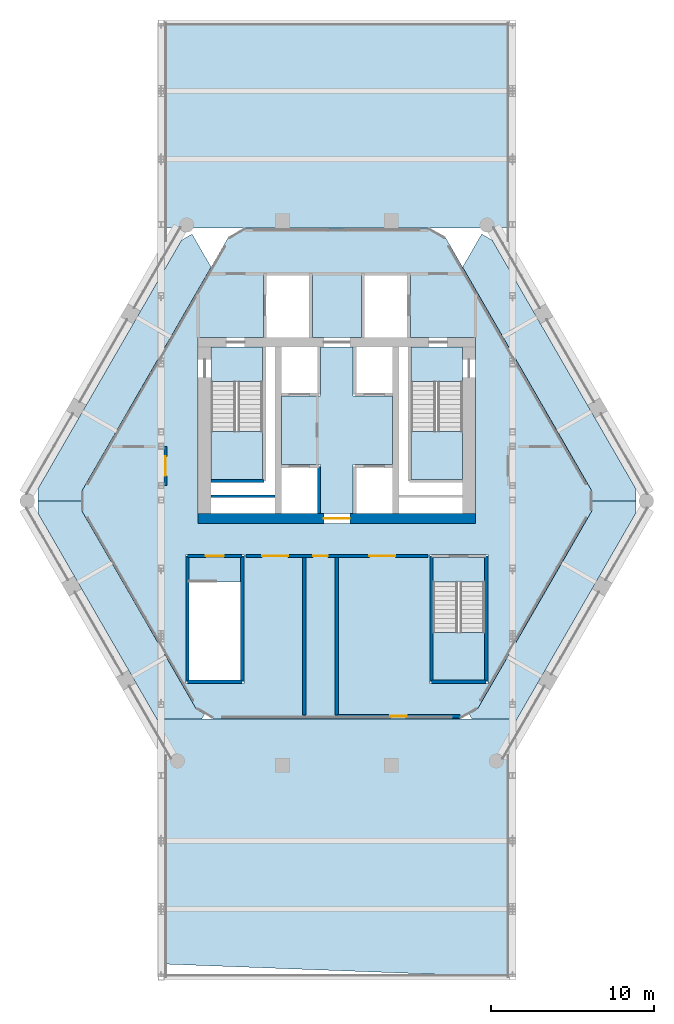
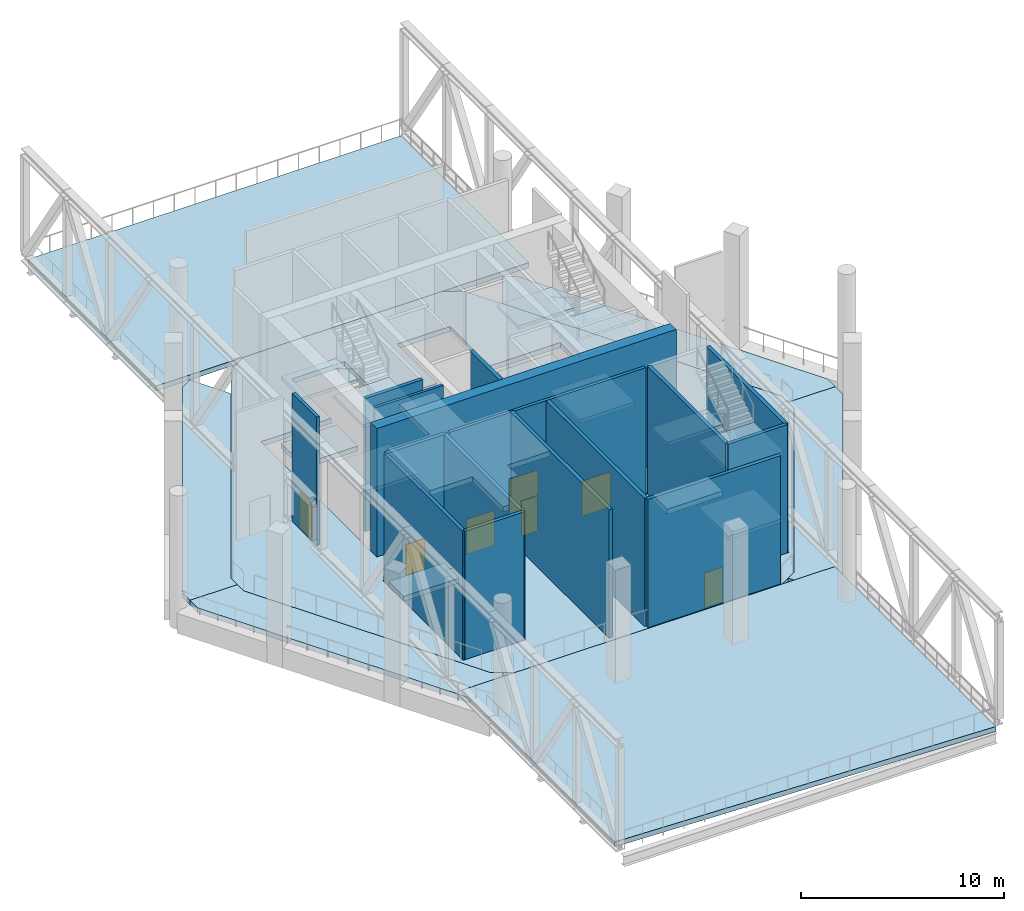
# One storey, part 5 of 14: 21 slabs, 16 walls, 7 doors, 7 openings, 3 elements without a shape of their own.
"""IFC4 building model written with IfcOpenShell, lengths in metres."""

from ifc_helpers import new_model, si_unit, direction, frame, frame_2d, origin, place, context, subcontext, project, spatial, polyline, rectangle, outline, extrude, material, layer, layer_set, type_object, element, fill, aggregate, save


model = new_model("IFC4")

# Units and contexts
model_context = context("Model", 3, precision=1e-05, world=origin(), true_north=direction((0.0, 1.0)))
body_context = subcontext(model_context, "Body", "Model", "MODEL_VIEW")
ifc_project = project(units=[si_unit("LENGTHUNIT", "METRE"), si_unit("AREAUNIT", "SQUARE_METRE"), si_unit("VOLUMEUNIT", "CUBIC_METRE"), si_unit("PLANEANGLEUNIT", "RADIAN"), si_unit("MASSUNIT", "GRAM", prefix="KILO")], contexts=[model_context])

# Site, building, storey
site_placement = place(None, origin())
site = spatial("IfcSite", under=ifc_project, at=site_placement, CompositionType="ELEMENT")
building_placement = place(site_placement, origin())
building = spatial("IfcBuilding", under=site, at=building_placement, Name="Ostrander Bayou Hotel Tower", CompositionType="ELEMENT")
storey_placement = place(building_placement, frame((0.0, 0.0, 237.0)))
storey = spatial("IfcBuildingStorey", under=building, at=storey_placement, Name="L59", CompositionType="ELEMENT", Elevation=237.0)

# Slabs
ifc_material_1 = material(Name="Concrete f'c 40 MPa", Category="concrete")
ifc_layer_1 = layer(ifc_material_1, 0.300048828125)
ifc_layer_set_1 = layer_set([ifc_layer_1], Name="SL1 floor slab 300 mm f'c 40 MPa")
slab_type_1 = type_object("IfcSlabType", Name="SL1 floor slab 300 mm f'c 40 MPa", PredefinedType="FLOOR", material=ifc_layer_set_1)
slab_1_placement = place(storey_placement, frame((0.0, 0.0, -0.300048828125)))
element("IfcSlab", 1, at=slab_1_placement, inside=storey, type_object=slab_type_1, Name="SL1 L59 1", PredefinedType="FLOOR", context=body_context, shape_type="SweptSolid", body=[
    extrude(outline(polyline([(6.665771484375, 15.800048828125), (15.63037109375, 0.272705078125), (15.63037109375, -0.92724609375), (8.618408203125, -13.07275390625), (7.5791015625, -13.672607421875), (-7.5791015625, -13.672607421875), (-8.618408203125, -13.07275390625), (-15.63037109375, -0.92724609375), (-15.63037109375, 0.272705078125), (-6.665771484375, 15.800048828125), (-5.62646484375, 16.39990234375), (5.62646484375, 16.39990234375), (6.665771484375, 15.800048828125)]), holes=[polyline([(9.25, -3.60009765625), (5.699951171875, -3.60009765625), (5.699951171875, -11.5), (9.25, -11.5), (9.25, -3.60009765625)]), polyline([(-8.5, -1.699951171875), (8.5, -1.699951171875), (8.5, 9.699951171875), (4.5, 9.699951171875), (4.5, 13.60009765625), (1.5, 13.60009765625), (1.5, 9.699951171875), (-1.5, 9.699951171875), (-1.5, 13.60009765625), (-4.5, 13.60009765625), (-4.5, 9.699951171875), (-8.5, 9.699951171875), (-8.5, -1.699951171875)]), polyline([(-5.699951171875, -3.60009765625), (-9.25, -3.60009765625), (-9.25, -11.5), (-5.699951171875, -11.5), (-5.699951171875, -3.60009765625)])]), origin(), (0.0, 0.0, 1.0), 0.300048828125),
])
slab_2_placement = place(storey_placement, frame((0.0, 0.0, -0.300048828125)))
element("IfcSlab", 2, at=slab_2_placement, inside=storey, type_object=slab_type_1, Name="cslab:L59:001", PredefinedType="FLOOR", context=body_context, shape_type="SweptSolid", body=[
    extrude(outline(polyline([(-3.39990234375, 6.10009765625), (-1.0, 6.10009765625), (-1.0, 9.10009765625), (1.0, 9.10009765625), (1.0, 6.10009765625), (3.39990234375, 6.10009765625), (3.39990234375, 1.89990234375), (1.0, 1.89990234375), (1.0, -1.10009765625), (-1.0, -1.10009765625), (-1.0, 1.89990234375), (-3.39990234375, 1.89990234375), (-3.39990234375, 6.10009765625)])), origin(), (0.0, 0.0, 1.0), 0.300048828125),
])
slab_3_placement = place(storey_placement, frame((0.0, 0.0, -0.300048828125)))
element("IfcSlab", 3, at=slab_3_placement, inside=storey, type_object=slab_type_1, Name="cslab:L59:002", PredefinedType="FLOOR", context=body_context, shape_type="SweptSolid", body=[
    extrude(outline(polyline([(-4.550048828125, 7.0), (-4.550048828125, 9.10009765625), (-7.699951171875, 9.10009765625), (-7.699951171875, 7.0), (-4.550048828125, 7.0)])), origin(), (0.0, 0.0, 1.0), 0.300048828125),
])
slab_4_placement = place(storey_placement, frame((0.0, 0.0, -0.300048828125)))
element("IfcSlab", 4, at=slab_4_placement, inside=storey, type_object=slab_type_1, Name="cslab:L59:003", PredefinedType="FLOOR", context=body_context, shape_type="SweptSolid", body=[
    extrude(outline(polyline([(7.699951171875, 7.0), (7.699951171875, 9.10009765625), (4.550048828125, 9.10009765625), (4.550048828125, 7.0), (7.699951171875, 7.0)])), origin(), (0.0, 0.0, 1.0), 0.300048828125),
])
slab_5_placement = place(storey_placement, frame((0.0, 0.0, -0.300048828125)))
element("IfcSlab", 5, at=slab_5_placement, inside=storey, type_object=slab_type_1, Name="cslab:L59:004", PredefinedType="FLOOR", context=body_context, shape_type="SweptSolid", body=[
    extrude(outline(polyline([(9.050048828125, -5.300048828125), (9.050048828125, -3.800048828125), (5.89990234375, -3.800048828125), (5.89990234375, -5.300048828125), (9.050048828125, -5.300048828125)])), origin(), (0.0, 0.0, 1.0), 0.300048828125),
])
slab_6_placement = place(storey_placement, frame((0.0, 0.0, -0.300048828125)))
element("IfcSlab", 6, at=slab_6_placement, inside=storey, type_object=slab_type_1, Name="cslab:L59:005", PredefinedType="FLOOR", context=body_context, shape_type="SweptSolid", body=[
    extrude(outline(polyline([(-5.89990234375, -5.300048828125), (-5.89990234375, -3.800048828125), (-9.050048828125, -3.800048828125), (-9.050048828125, -5.300048828125), (-5.89990234375, -5.300048828125)])), origin(), (0.0, 0.0, 1.0), 0.300048828125),
])
ifc_material_2 = material(Name="Concrete f'c 40 MPa", Category="concrete")
ifc_layer_2 = layer(ifc_material_2, 0.300048828125)
ifc_layer_set_2 = layer_set([ifc_layer_2], Name="SL4 loggia slab 300 mm f'c 40 MPa")
slab_type_2 = type_object("IfcSlabType", Name="SL4 loggia slab 300 mm f'c 40 MPa", PredefinedType="FLOOR", material=ifc_layer_set_2)
slab_7_placement = place(storey_placement, frame((0.0, 0.0, -0.300048828125)))
element("IfcSlab", 7, at=slab_7_placement, inside=storey, type_object=slab_type_2, Name="SL4 LOGGIA L59 NW 1", PredefinedType="FLOOR", context=body_context, shape_type="SweptSolid", body=[
    extrude(outline(polyline([(-18.315185546875, -0.327392578125), (-18.315185546875, 0.422607421875), (-15.794189453125, 4.789306640625), (-15.3740234375, 5.5166015625), (-12.464599609375, 10.555908203125), (-12.044677734375, 11.283447265625), (-9.523681640625, 15.64990234375), (-8.8740234375, 16.02490234375), (-7.705078125, 14.0), (-15.63037109375, 0.272705078125), (-15.63037109375, -0.327392578125), (-18.315185546875, -0.327392578125)])), origin(), (0.0, 0.0, 1.0), 0.300048828125),
])
slab_8_placement = place(storey_placement, frame((0.0, 0.0, -0.300048828125)))
element("IfcSlab", 8, at=slab_8_placement, inside=storey, type_object=slab_type_2, Name="SL4 LOGGIA L59 SW 1", PredefinedType="FLOOR", context=body_context, shape_type="SweptSolid", body=[
    extrude(outline(polyline([(-8.0986328125, -13.372802734375), (-8.27197265625, -13.672607421875), (-10.587158203125, -13.672607421875), (-10.587158203125, -14.46240234375), (-12.328125, -11.447021484375), (-12.748046875, -10.719482421875), (-15.657470703125, -5.680419921875), (-16.077392578125, -4.952880859375), (-17.755615234375, -2.04638671875), (-18.315185546875, -1.077392578125), (-18.315185546875, -0.327392578125), (-15.63037109375, -0.327392578125), (-15.63037109375, -0.92724609375), (-8.618408203125, -13.07275390625), (-8.0986328125, -13.372802734375)])), origin(), (0.0, 0.0, 1.0), 0.300048828125),
])
slab_9_placement = place(storey_placement, frame((0.0, 0.0, -0.300048828125)))
element("IfcSlab", 9, at=slab_9_placement, inside=storey, type_object=slab_type_2, Name="SL4 LOGGIA L59 SE 1", PredefinedType="FLOOR", context=body_context, shape_type="SweptSolid", body=[
    extrude(outline(polyline([(18.315185546875, -1.077392578125), (16.077392578125, -4.952880859375), (15.657470703125, -5.680419921875), (12.748046875, -10.719482421875), (12.328125, -11.447021484375), (10.587158203125, -14.46240234375), (10.587158203125, -13.672607421875), (8.27197265625, -13.672607421875), (8.0986328125, -13.372802734375), (8.618408203125, -13.07275390625), (15.63037109375, -0.92724609375), (15.63037109375, -0.327392578125), (18.315185546875, -0.327392578125), (18.315185546875, -1.077392578125)])), origin(), (0.0, 0.0, 1.0), 0.300048828125),
])
slab_10_placement = place(storey_placement, frame((0.0, 0.0, -0.300048828125)))
element("IfcSlab", 10, at=slab_10_placement, inside=storey, type_object=slab_type_2, Name="SL4 LOGGIA L59 NE 1", PredefinedType="FLOOR", context=body_context, shape_type="SweptSolid", body=[
    extrude(outline(polyline([(8.8740234375, 16.02490234375), (9.523681640625, 15.64990234375), (12.044677734375, 11.283447265625), (12.464599609375, 10.555908203125), (15.3740234375, 5.5166015625), (15.794189453125, 4.789306640625), (18.213134765625, 0.59912109375), (18.276123046875, 0.490234375), (18.315185546875, 0.422607421875), (18.315185546875, -0.327392578125), (15.63037109375, -0.327392578125), (15.63037109375, 0.272705078125), (7.705078125, 14.0), (8.8740234375, 16.02490234375)])), origin(), (0.0, 0.0, 1.0), 0.300048828125),
])
ifc_material_3 = material(Name="Concrete f'c 40 MPa", Category="concrete")
ifc_layer_3 = layer(ifc_material_3, 0.300048828125)
ifc_layer_set_3 = layer_set([ifc_layer_3], Name="SL6B terrace roof slab 300 mm f'c 40 MPa")
slab_type_3 = type_object("IfcSlabType", Name="SL6B terrace roof slab 300 mm f'c 40 MPa", PredefinedType="ROOF", material=ifc_layer_set_3)
slab_11_placement = place(storey_placement, frame((0.0, 0.0, -0.300048828125)))
element("IfcSlab", 11, at=slab_11_placement, inside=storey, type_object=slab_type_3, Name="SL6B ROOF SB5 1", PredefinedType="ROOF", context=body_context, shape_type="SweptSolid", body=[
    extrude(outline(polyline([(-10.587158203125, -13.672607421875), (10.587158203125, -13.672607421875), (10.587158203125, -29.5), (-10.587158203125, -28.699951171875), (-10.587158203125, -13.672607421875)])), origin(), (0.0, 0.0, 1.0), 0.300048828125),
])
slab_12_placement = place(storey_placement, frame((0.0, 0.0, -0.300048828125)))
element("IfcSlab", 12, at=slab_12_placement, inside=storey, type_object=slab_type_3, Name="SL6B ROOF SB5 1", PredefinedType="ROOF", context=body_context, shape_type="SweptSolid", body=[
    extrude(outline(polyline([(-10.587158203125, 28.966552734375), (10.587158203125, 28.966552734375), (10.587158203125, 16.39990234375), (-10.587158203125, 16.39990234375), (-10.587158203125, 28.966552734375)])), origin(), (0.0, 0.0, 1.0), 0.300048828125),
])

# Stair, slabs
ifc_material_4 = material(Name="Concrete f'c 45 MPa", Category="concrete")
stair_type = type_object("IfcStairType", Name="ST1 exit stair 1500 mm f'c 45 MPa", PredefinedType="HALF_TURN_STAIR", material=ifc_material_4)
stair_1_placement = place(storey_placement, origin())
stair_1 = element("IfcStair", 13, at=stair_1_placement, inside=storey, type_object=stair_type, Name="L59 exit stair A", PredefinedType="HALF_TURN_STAIR")
ifc_material_5 = material(Name="Concrete f'c 45 MPa", Category="concrete")
ifc_layer_4 = layer(ifc_material_5, 0.199951171875)
ifc_layer_set_4 = layer_set([ifc_layer_4], Name="SL8 stair landing 200 mm f'c 45 MPa")
slab_type_4 = type_object("IfcSlabType", Name="SL8 stair landing 200 mm f'c 45 MPa", PredefinedType="LANDING", material=ifc_layer_set_4)
slab_13_placement = place(storey_placement, frame((0.0, 0.0, 1.800048828125)))
slab_13 = element("IfcSlab", 14, at=slab_13_placement, type_object=slab_type_4, Name="STA landing 1", PredefinedType="LANDING", context=body_context, shape_type="SweptSolid", body=[
    extrude(outline(polyline([(-7.699951171875, 3.919921875), (-7.699951171875, 1.0), (-4.550048828125, 1.0), (-4.550048828125, 3.919921875), (-7.699951171875, 3.919921875)])), origin(), (0.0, 0.0, 1.0), 0.199951171875),
])
slab_14_placement = place(storey_placement, frame((0.0, 0.0, 3.800048828125)))
slab_14 = element("IfcSlab", 15, at=slab_14_placement, type_object=slab_type_4, Name="STA landing 2", PredefinedType="LANDING", context=body_context, shape_type="SweptSolid", body=[
    extrude(outline(polyline([(-7.699951171875, 9.10009765625), (-7.699951171875, 7.0), (-4.550048828125, 7.0), (-4.550048828125, 9.10009765625), (-7.699951171875, 9.10009765625)])), origin(), (0.0, 0.0, 1.0), 0.199951171875),
])
slab_15_placement = place(storey_placement, frame((0.0, 0.0, 5.800048828125)))
slab_15 = element("IfcSlab", 16, at=slab_15_placement, type_object=slab_type_4, Name="STA landing 3", PredefinedType="LANDING", context=body_context, shape_type="SweptSolid", body=[
    extrude(outline(polyline([(-7.699951171875, 3.919921875), (-7.699951171875, 1.0), (-4.550048828125, 1.0), (-4.550048828125, 3.919921875), (-7.699951171875, 3.919921875)])), origin(), (0.0, 0.0, 1.0), 0.199951171875),
])
aggregate(stair_1, [slab_13, slab_14, slab_15])

stair_2_placement = place(storey_placement, origin())
stair_2 = element("IfcStair", 17, at=stair_2_placement, inside=storey, type_object=stair_type, Name="L59 exit stair B", PredefinedType="HALF_TURN_STAIR")
slab_16_placement = place(storey_placement, frame((0.0, 0.0, 1.800048828125)))
slab_16 = element("IfcSlab", 18, at=slab_16_placement, type_object=slab_type_4, Name="STB landing 1", PredefinedType="LANDING", context=body_context, shape_type="SweptSolid", body=[
    extrude(outline(polyline([(4.550048828125, 3.919921875), (4.550048828125, 1.0), (7.699951171875, 1.0), (7.699951171875, 3.919921875), (4.550048828125, 3.919921875)])), origin(), (0.0, 0.0, 1.0), 0.199951171875),
])
slab_17_placement = place(storey_placement, frame((0.0, 0.0, 3.800048828125)))
slab_17 = element("IfcSlab", 19, at=slab_17_placement, type_object=slab_type_4, Name="STB landing 2", PredefinedType="LANDING", context=body_context, shape_type="SweptSolid", body=[
    extrude(outline(polyline([(4.550048828125, 9.10009765625), (4.550048828125, 7.0), (7.699951171875, 7.0), (7.699951171875, 9.10009765625), (4.550048828125, 9.10009765625)])), origin(), (0.0, 0.0, 1.0), 0.199951171875),
])
slab_18_placement = place(storey_placement, frame((0.0, 0.0, 5.800048828125)))
slab_18 = element("IfcSlab", 20, at=slab_18_placement, type_object=slab_type_4, Name="STB landing 3", PredefinedType="LANDING", context=body_context, shape_type="SweptSolid", body=[
    extrude(outline(polyline([(4.550048828125, 3.919921875), (4.550048828125, 1.0), (7.699951171875, 1.0), (7.699951171875, 3.919921875), (4.550048828125, 3.919921875)])), origin(), (0.0, 0.0, 1.0), 0.199951171875),
])
aggregate(stair_2, [slab_16, slab_17, slab_18])

stair_3_placement = place(storey_placement, origin())
stair_3 = element("IfcStair", 21, at=stair_3_placement, inside=storey, type_object=stair_type, Name="L59 exit stair C", PredefinedType="HALF_TURN_STAIR")
slab_19_placement = place(storey_placement, frame((0.0, 0.0, 1.800048828125)))
slab_19 = element("IfcSlab", 22, at=slab_19_placement, type_object=slab_type_4, Name="STC landing 1", PredefinedType="LANDING", context=body_context, shape_type="SweptSolid", body=[
    extrude(outline(polyline([(5.89990234375, -8.3798828125), (5.89990234375, -11.300048828125), (9.050048828125, -11.300048828125), (9.050048828125, -8.3798828125), (5.89990234375, -8.3798828125)])), origin(), (0.0, 0.0, 1.0), 0.199951171875),
])
slab_20_placement = place(storey_placement, frame((0.0, 0.0, 3.800048828125)))
slab_20 = element("IfcSlab", 23, at=slab_20_placement, type_object=slab_type_4, Name="STC landing 2", PredefinedType="LANDING", context=body_context, shape_type="SweptSolid", body=[
    extrude(outline(polyline([(5.89990234375, -3.800048828125), (5.89990234375, -5.300048828125), (9.050048828125, -5.300048828125), (9.050048828125, -3.800048828125), (5.89990234375, -3.800048828125)])), origin(), (0.0, 0.0, 1.0), 0.199951171875),
])
slab_21_placement = place(storey_placement, frame((0.0, 0.0, 5.800048828125)))
slab_21 = element("IfcSlab", 24, at=slab_21_placement, type_object=slab_type_4, Name="STC landing 3", PredefinedType="LANDING", context=body_context, shape_type="SweptSolid", body=[
    extrude(outline(polyline([(5.89990234375, -8.3798828125), (5.89990234375, -11.300048828125), (9.050048828125, -11.300048828125), (9.050048828125, -8.3798828125), (5.89990234375, -8.3798828125)])), origin(), (0.0, 0.0, 1.0), 0.199951171875),
])
aggregate(stair_3, [slab_19, slab_20, slab_21])

# Wall, opening, door
ifc_material_6 = material(Name="Concrete f'c 60 MPa", Category="concrete")
ifc_layer_5 = layer(ifc_material_6, 0.60009765625)
ifc_layer_set_5 = layer_set([ifc_layer_5], Name="CW10 core wall 600 mm f'c 60 MPa")
wall_type_1 = type_object("IfcWallType", Name="CW10 core wall 600 mm f'c 60 MPa", PredefinedType="SHEAR", material=ifc_layer_set_5)
wall_1_placement = place(storey_placement, frame((-8.5, -1.39990234375, -0.300048828125), z_axis=(0.0, 0.0, 1.0), x_axis=(1.0, 0.0, 0.0)))
wall_1 = element("IfcWall", 25, at=wall_1_placement, inside=storey, type_object=wall_type_1, Name="CW10 L59 S", PredefinedType="SHEAR", context=body_context, shape_type="SweptSolid", body=[
    extrude(rectangle(XDim=17.0, YDim=0.60009765625, at=frame_2d((8.5, 0.0))), origin(), (0.0, 0.0, 1.0), 8.0),
])
opening_1_placement = place(wall_1_placement, frame((7.699951171875, 0.0, 0.0)))
opening_1 = element("IfcOpeningElement", 26, at=opening_1_placement, cuts=wall_1, Name="Opening T59-005", PredefinedType="OPENING", context=body_context, shape_type="SweptSolid", body=[
    extrude(rectangle(XDim=1.60009765625, YDim=2.10009765625, at=frame_2d((0.800048828125, 1.050048828125))), frame((0.0, 0.300048828125, 0.0), z_axis=(0.0, -1.0, 0.0), x_axis=(1.0, 0.0, 0.0)), (0.0, 0.0, 1.0), 0.60009765625),
])
ifc_material_7 = material(Name="Timber door leaf", Category="wood")
door_type_1 = type_object("IfcDoorType", Name="D13 double door 1600 x 2100 mm, 1 hour", OperationType="SINGLE_SWING_LEFT", PredefinedType="DOOR", material=ifc_material_7)
door_1_placement = place(opening_1_placement, origin())
door_1 = element("IfcDoor", 27, at=door_1_placement, inside=storey, type_object=door_type_1, Name="dr:L59:005", OperationType="DOUBLE_DOOR_SINGLE_SWING", OverallHeight=2.10009765625, OverallWidth=1.60009765625, PredefinedType="DOOR", context=body_context, shape_type="SweptSolid", body=[
    extrude(rectangle(XDim=1.60009765625, YDim=2.10009765625, at=frame_2d((0.800048828125, 1.050048828125))), frame((0.0, 0.02490234375, 0.0), z_axis=(0.0, -1.0, 0.0), x_axis=(1.0, 0.0, 0.0)), (0.0, 0.0, 1.0), 0.050048828125),
])
fill(opening_1, door_1)

# Walls
ifc_material_8 = material(Name="Gypsum board partition", Category="finish")
ifc_layer_6 = layer(ifc_material_8, 0.199951171875)
ifc_layer_set_6 = layer_set([ifc_layer_6], Name="PT3 demising wall 200 mm acoustic double stud, 1 hour")
wall_type_2 = type_object("IfcWallType", Name="PT3 demising wall 200 mm acoustic double stud, 1 hour", PredefinedType="PARTITIONING", material=ifc_layer_set_6)
wall_2_placement = place(storey_placement, frame((-2.0, -13.442626953125, 0.0), z_axis=(0.0, 0.0, 1.0), x_axis=(0.0, 1.0, 0.0)))
element("IfcWall", 28, at=wall_2_placement, inside=storey, type_object=wall_type_2, Name="sw:L59:004", PredefinedType="PARTITIONING", context=body_context, shape_type="SweptSolid", body=[
    extrude(rectangle(XDim=9.74267578125, YDim=0.199951171875, at=frame_2d((4.871337890625, 0.0))), origin(), (0.0, 0.0, 1.0), 7.699951171875),
])
wall_3_placement = place(storey_placement, frame((0.0, -13.442626953125, 0.0), z_axis=(0.0, 0.0, 1.0), x_axis=(0.0, 1.0, 0.0)))
element("IfcWall", 29, at=wall_3_placement, inside=storey, type_object=wall_type_2, Name="sw:L59:005", PredefinedType="PARTITIONING", context=body_context, shape_type="SweptSolid", body=[
    extrude(rectangle(XDim=9.742431640625, YDim=0.199951171875, at=frame_2d((4.87109375, 0.0))), origin(), (0.0, 0.0, 1.0), 7.699951171875),
])

# Wall, openings, doors
ifc_material_9 = material(Name="Gypsum board partition", Category="finish")
ifc_layer_7 = layer(ifc_material_9, 0.175048828125)
ifc_layer_set_7 = layer_set([ifc_layer_7], Name="PT4 corridor wall 175 mm, 1 hour")
wall_type_3 = type_object("IfcWallType", Name="PT4 corridor wall 175 mm, 1 hour", PredefinedType="PARTITIONING", material=ifc_layer_set_7)
wall_4_placement = place(storey_placement, frame((-5.570068359375, -3.699951171875, 0.0), z_axis=(0.0, 0.0, 1.0), x_axis=(1.0, 0.0, 0.0)))
wall_4 = element("IfcWall", 30, at=wall_4_placement, inside=storey, type_object=wall_type_3, Name="sw:L59:001", PredefinedType="PARTITIONING", context=body_context, shape_type="SweptSolid", body=[
    extrude(rectangle(XDim=11.14013671875, YDim=0.175048828125, at=frame_2d((5.570068359375, 0.0))), origin(), (0.0, 0.0, 1.0), 7.699951171875),
])
opening_2_placement = place(wall_4_placement, frame((0.985107421875, 0.0, 0.0)))
opening_2 = element("IfcOpeningElement", 31, at=opening_2_placement, cuts=wall_4, Name="Opening T59-200", PredefinedType="OPENING", context=body_context, shape_type="SweptSolid", body=[
    extrude(rectangle(XDim=1.60009765625, YDim=2.10009765625, at=frame_2d((0.800048828125, 1.050048828125))), frame((0.0, 0.08740234375, 0.0), z_axis=(0.0, -1.0, 0.0), x_axis=(1.0, 0.0, 0.0)), (0.0, 0.0, 1.0), 0.175048828125),
])
opening_3_placement = place(wall_4_placement, frame((4.1201171875, 0.0, 0.0)))
opening_3 = element("IfcOpeningElement", 32, at=opening_3_placement, cuts=wall_4, Name="Opening T59-201", PredefinedType="OPENING", context=body_context, shape_type="SweptSolid", body=[
    extrude(rectangle(XDim=0.89990234375, YDim=2.10009765625, at=frame_2d((0.449951171875, 1.050048828125))), frame((0.0, 0.08740234375, 0.0), z_axis=(0.0, -1.0, 0.0), x_axis=(1.0, 0.0, 0.0)), (0.0, 0.0, 1.0), 0.175048828125),
])
opening_4_placement = place(wall_4_placement, frame((7.55517578125, 0.0, 0.0)))
opening_4 = element("IfcOpeningElement", 33, at=opening_4_placement, cuts=wall_4, Name="Opening T59-202", PredefinedType="OPENING", context=body_context, shape_type="SweptSolid", body=[
    extrude(rectangle(XDim=1.60009765625, YDim=2.10009765625, at=frame_2d((0.800048828125, 1.050048828125))), frame((0.0, 0.08740234375, 0.0), z_axis=(0.0, -1.0, 0.0), x_axis=(1.0, 0.0, 0.0)), (0.0, 0.0, 1.0), 0.175048828125),
])
door_2_placement = place(opening_2_placement, origin())
door_2 = element("IfcDoor", 34, at=door_2_placement, inside=storey, type_object=door_type_1, Name="dr:L59:200", OperationType="DOUBLE_DOOR_SINGLE_SWING", OverallHeight=2.10009765625, OverallWidth=1.60009765625, PredefinedType="DOOR", context=body_context, shape_type="SweptSolid", body=[
    extrude(rectangle(XDim=1.60009765625, YDim=2.10009765625, at=frame_2d((0.800048828125, 1.050048828125))), frame((0.0, 0.02490234375, 0.0), z_axis=(0.0, -1.0, 0.0), x_axis=(1.0, 0.0, 0.0)), (0.0, 0.0, 1.0), 0.050048828125),
])
fill(opening_2, door_2)
door_3_placement = place(opening_4_placement, origin())
door_3 = element("IfcDoor", 35, at=door_3_placement, inside=storey, type_object=door_type_1, Name="dr:L59:202", OperationType="DOUBLE_DOOR_SINGLE_SWING", OverallHeight=2.10009765625, OverallWidth=1.60009765625, PredefinedType="DOOR", context=body_context, shape_type="SweptSolid", body=[
    extrude(rectangle(XDim=1.60009765625, YDim=2.10009765625, at=frame_2d((0.800048828125, 1.050048828125))), frame((0.0, 0.02490234375, 0.0), z_axis=(0.0, -1.0, 0.0), x_axis=(1.0, 0.0, 0.0)), (0.0, 0.0, 1.0), 0.050048828125),
])
fill(opening_4, door_3)
ifc_material_10 = material(Name="Timber door leaf", Category="wood")
door_type_2 = type_object("IfcDoorType", Name="D8 room door 900 x 2100 mm", OperationType="SINGLE_SWING_LEFT", PredefinedType="DOOR", material=ifc_material_10)
door_4_placement = place(opening_3_placement, origin())
door_4 = element("IfcDoor", 36, at=door_4_placement, inside=storey, type_object=door_type_2, Name="dr:L59:201", OperationType="SINGLE_SWING_LEFT", OverallHeight=2.10009765625, OverallWidth=0.89990234375, PredefinedType="DOOR", context=body_context, shape_type="SweptSolid", body=[
    extrude(rectangle(XDim=0.89990234375, YDim=2.10009765625, at=frame_2d((0.449951171875, 1.050048828125))), frame((0.0, 0.02490234375, 0.0), z_axis=(0.0, -1.0, 0.0), x_axis=(1.0, 0.0, 0.0)), (0.0, 0.0, 1.0), 0.050048828125),
])
fill(opening_3, door_4)

# Wall, opening, door
wall_5_placement = place(storey_placement, frame((-10.5, 0.621337890625, 0.0), z_axis=(0.0, 0.0, 1.0), x_axis=(0.0, 1.0, 0.0)))
wall_5 = element("IfcWall", 37, at=wall_5_placement, inside=storey, type_object=wall_type_3, Name="sw:L59:002", PredefinedType="PARTITIONING", context=body_context, shape_type="SweptSolid", body=[
    extrude(rectangle(XDim=2.378662109375, YDim=0.175048828125, at=frame_2d((1.189453125, 0.0))), origin(), (0.0, 0.0, 1.0), 7.699951171875),
])
opening_5_placement = place(wall_5_placement, frame((0.58935546875, 0.0, 0.0)))
opening_5 = element("IfcOpeningElement", 38, at=opening_5_placement, cuts=wall_5, Name="Opening T59-203", PredefinedType="OPENING", context=body_context, shape_type="SweptSolid", body=[
    extrude(rectangle(XDim=1.199951171875, YDim=2.10009765625, at=frame_2d((0.60009765625, 1.050048828125))), frame((0.0, 0.08740234375, 0.0), z_axis=(0.0, -1.0, 0.0), x_axis=(1.0, 0.0, 0.0)), (0.0, 0.0, 1.0), 0.175048828125),
])
ifc_material_11 = material(Name="Timber door leaf", Category="wood")
door_type_3 = type_object("IfcDoorType", Name="D10 plant room door 1200 x 2100 mm, 1 hour", OperationType="SINGLE_SWING_LEFT", PredefinedType="DOOR", material=ifc_material_11)
door_5_placement = place(opening_5_placement, origin())
door_5 = element("IfcDoor", 39, at=door_5_placement, inside=storey, type_object=door_type_3, Name="dr:L59:203", OperationType="SINGLE_SWING_LEFT", OverallHeight=2.10009765625, OverallWidth=1.199951171875, PredefinedType="DOOR", context=body_context, shape_type="SweptSolid", body=[
    extrude(rectangle(XDim=1.199951171875, YDim=2.10009765625, at=frame_2d((0.60009765625, 1.050048828125))), frame((0.0, 0.02490234375, 0.0), z_axis=(0.0, -1.0, 0.0), x_axis=(1.0, 0.0, 0.0)), (0.0, 0.0, 1.0), 0.050048828125),
])
fill(opening_5, door_5)

# Walls
ifc_material_12 = material(Name="Masonry block", Category="masonry")
ifc_layer_8 = layer(ifc_material_12, 0.199951171875)
ifc_layer_set_8 = layer_set([ifc_layer_8], Name="PT6 lift shaft wall 200 mm masonry, 2 hour")
wall_type_4 = type_object("IfcWallType", Name="PT6 lift shaft wall 200 mm masonry, 2 hour", PredefinedType="PARTITIONING", material=ifc_layer_set_8)
wall_6_placement = place(storey_placement, frame((-1.10009765625, -1.10009765625, 0.0), z_axis=(0.0, 0.0, 1.0), x_axis=(0.0, 1.0, 0.0)))
element("IfcWall", 40, at=wall_6_placement, inside=storey, type_object=wall_type_4, Name="cs:L59:005", PredefinedType="PARTITIONING", context=body_context, shape_type="SweptSolid", body=[
    extrude(rectangle(XDim=2.900146484375, YDim=0.199951171875, at=frame_2d((1.4501953125, 0.0))), origin(), (0.0, 0.0, 1.0), 7.699951171875),
])
ifc_material_13 = material(Name="Gypsum board partition", Category="finish")
ifc_layer_9 = layer(ifc_material_13, 0.14990234375)
ifc_layer_set_9 = layer_set([ifc_layer_9], Name="PT7 riser wall 150 mm, 2 hour")
wall_type_5 = type_object("IfcWallType", Name="PT7 riser wall 150 mm, 2 hour", PredefinedType="PARTITIONING", material=ifc_layer_set_9)
wall_7_placement = place(storey_placement, frame((-7.699951171875, -0.050048828125, 0.0), z_axis=(0.0, 0.0, 1.0), x_axis=(1.0, 0.0, 0.0)))
element("IfcWall", 41, at=wall_7_placement, inside=storey, type_object=wall_type_5, Name="cs:L59:011", PredefinedType="PARTITIONING", context=body_context, shape_type="SweptSolid", body=[
    extrude(rectangle(XDim=3.89990234375, YDim=0.14990234375, at=frame_2d((1.949951171875, 0.0))), origin(), (0.0, 0.0, 1.0), 7.699951171875),
])

# Wall, opening, door
ifc_material_14 = material(Name="Masonry block", Category="masonry")
ifc_layer_10 = layer(ifc_material_14, 0.199951171875)
ifc_layer_set_10 = layer_set([ifc_layer_10], Name="PT9 exterior screen wall 200 mm masonry, 1 hour")
wall_type_6 = type_object("IfcWallType", Name="PT9 exterior screen wall 200 mm masonry, 1 hour", PredefinedType="PARTITIONING", material=ifc_layer_set_10)
wall_8_placement = place(storey_placement, frame((0.0, -13.522705078125, 0.0), z_axis=(0.0, 0.0, 1.0), x_axis=(1.0, 0.0, 0.0)))
wall_8 = element("IfcWall", 42, at=wall_8_placement, inside=storey, type_object=wall_type_6, Name="sw:L59:008", PredefinedType="PARTITIONING", context=body_context, shape_type="SweptSolid", body=[
    extrude(rectangle(XDim=7.538818359375, YDim=0.199951171875, at=frame_2d((3.76953125, 0.0))), origin(), (0.0, 0.0, 1.0), 7.699951171875),
])
opening_6_placement = place(wall_8_placement, frame((3.269287109375, 0.0, 0.0)))
opening_6 = element("IfcOpeningElement", 43, at=opening_6_placement, cuts=wall_8, Name="Opening T59-207", PredefinedType="OPENING", context=body_context, shape_type="SweptSolid", body=[
    extrude(rectangle(XDim=1.0, YDim=2.10009765625, at=frame_2d((0.5, 1.050048828125))), frame((0.0, 0.10009765625, 0.0), z_axis=(0.0, -1.0, 0.0), x_axis=(1.0, 0.0, 0.0)), (0.0, 0.0, 1.0), 0.199951171875),
])
ifc_material_15 = material(Name="Timber door leaf", Category="wood")
door_type_4 = type_object("IfcDoorType", Name="D4 corridor door 1000 x 2100 mm, 1 hour", OperationType="SINGLE_SWING_LEFT", PredefinedType="DOOR", material=ifc_material_15)
door_6_placement = place(opening_6_placement, origin())
door_6 = element("IfcDoor", 44, at=door_6_placement, inside=storey, type_object=door_type_4, Name="dr:L59:207", OperationType="SINGLE_SWING_LEFT", OverallHeight=2.10009765625, OverallWidth=1.0, PredefinedType="DOOR", context=body_context, shape_type="SweptSolid", body=[
    extrude(rectangle(XDim=1.0, YDim=2.10009765625, at=frame_2d((0.5, 1.050048828125))), frame((0.0, 0.02490234375, 0.0), z_axis=(0.0, -1.0, 0.0), x_axis=(1.0, 0.0, 0.0)), (0.0, 0.0, 1.0), 0.050048828125),
])
fill(opening_6, door_6)

# Walls
ifc_material_16 = material(Name="Concrete f'c 45 MPa", Category="concrete")
ifc_layer_11 = layer(ifc_material_16, 0.199951171875)
ifc_layer_set_11 = layer_set([ifc_layer_11], Name="SW5 stair enclosure wall 200 mm f'c 45 MPa")
wall_type_7 = type_object("IfcWallType", Name="SW5 stair enclosure wall 200 mm f'c 45 MPa", PredefinedType="SOLIDWALL", material=ifc_layer_set_11)
wall_9_placement = place(storey_placement, frame((-7.699951171875, 0.89990234375, -0.300048828125), z_axis=(0.0, 0.0, 1.0), x_axis=(1.0, 0.0, 0.0)))
element("IfcWall", 45, at=wall_9_placement, inside=storey, type_object=wall_type_7, Name="cs:L59:010", PredefinedType="SOLIDWALL", context=body_context, shape_type="SweptSolid", body=[
    extrude(rectangle(XDim=3.25, YDim=0.199951171875, at=frame_2d((1.625, 0.0))), origin(), (0.0, 0.0, 1.0), 8.0),
])
for number, where, z_axis, x_axis, name in (
    (46, (5.800048828125, -3.699951171875, -0.300048828125), (0.0, 0.0, 1.0), (0.0, -1.0, 0.0), "cs:L59:016"),
    (47, (9.14990234375, -3.699951171875, -0.300048828125), (0.0, 0.0, 1.0), (0.0, -1.0, 0.0), "cs:L59:017"),
):
    element("IfcWall", number, at=place(storey_placement, frame(where, z_axis=z_axis, x_axis=x_axis)), inside=storey, type_object=wall_type_7, Name=name, PredefinedType="SOLIDWALL", context=body_context, shape_type="SweptSolid", body=[
        extrude(rectangle(XDim=7.699951171875, YDim=0.199951171875, at=frame_2d((3.85009765625, 0.0))), origin(), (0.0, 0.0, 1.0), 8.0),
    ])
wall_10_placement = place(storey_placement, frame((5.800048828125, -11.39990234375, -0.300048828125), z_axis=(0.0, 0.0, 1.0), x_axis=(1.0, 0.0, 0.0)))
element("IfcWall", 48, at=wall_10_placement, inside=storey, type_object=wall_type_7, Name="cs:L59:018", PredefinedType="SOLIDWALL", context=body_context, shape_type="SweptSolid", body=[
    extrude(rectangle(XDim=3.349853515625, YDim=0.199951171875, at=frame_2d((1.6748046875, 0.0))), origin(), (0.0, 0.0, 1.0), 8.0),
])

# Wall, opening, door
wall_11_placement = place(storey_placement, frame((-9.14990234375, -3.699951171875, -0.300048828125), z_axis=(0.0, 0.0, 1.0), x_axis=(1.0, 0.0, 0.0)))
wall_11 = element("IfcWall", 49, at=wall_11_placement, inside=storey, type_object=wall_type_7, Name="cs:L59:019", PredefinedType="SOLIDWALL", context=body_context, shape_type="SweptSolid", body=[
    extrude(rectangle(XDim=3.349853515625, YDim=0.199951171875, at=frame_2d((1.6748046875, 0.0))), origin(), (0.0, 0.0, 1.0), 8.0),
])
opening_7_placement = place(wall_11_placement, frame((1.125, 0.0, 0.0)))
opening_7 = element("IfcOpeningElement", 50, at=opening_7_placement, cuts=wall_11, Name="Opening T59-012", PredefinedType="OPENING", context=body_context, shape_type="SweptSolid", body=[
    extrude(rectangle(XDim=1.10009765625, YDim=2.10009765625, at=frame_2d((0.550048828125, 1.050048828125))), frame((0.0, 0.10009765625, 0.0), z_axis=(0.0, -1.0, 0.0), x_axis=(1.0, 0.0, 0.0)), (0.0, 0.0, 1.0), 0.199951171875),
])
ifc_material_17 = material(Name="Timber door leaf", Category="wood")
door_type_5 = type_object("IfcDoorType", Name="D5 stair door 1100 x 2100 mm, 90 minute", OperationType="SINGLE_SWING_LEFT", PredefinedType="DOOR", material=ifc_material_17)
door_7_placement = place(opening_7_placement, origin())
door_7 = element("IfcDoor", 51, at=door_7_placement, inside=storey, type_object=door_type_5, Name="dr:L59:012", OperationType="SINGLE_SWING_LEFT", OverallHeight=2.10009765625, OverallWidth=1.10009765625, PredefinedType="DOOR", context=body_context, shape_type="SweptSolid", body=[
    extrude(rectangle(XDim=1.10009765625, YDim=2.10009765625, at=frame_2d((0.550048828125, 1.050048828125))), frame((0.0, 0.02490234375, 0.0), z_axis=(0.0, -1.0, 0.0), x_axis=(1.0, 0.0, 0.0)), (0.0, 0.0, 1.0), 0.050048828125),
])
fill(opening_7, door_7)

# Walls
for number, where, z_axis, x_axis, name in (
    (52, (-9.14990234375, -3.699951171875, -0.300048828125), (0.0, 0.0, 1.0), (0.0, -1.0, 0.0), "cs:L59:020"),
    (53, (-5.800048828125, -3.699951171875, -0.300048828125), (0.0, 0.0, 1.0), (0.0, -1.0, 0.0), "cs:L59:021"),
):
    element("IfcWall", number, at=place(storey_placement, frame(where, z_axis=z_axis, x_axis=x_axis)), inside=storey, type_object=wall_type_7, Name=name, PredefinedType="SOLIDWALL", context=body_context, shape_type="SweptSolid", body=[
        extrude(rectangle(XDim=7.699951171875, YDim=0.199951171875, at=frame_2d((3.85009765625, 0.0))), origin(), (0.0, 0.0, 1.0), 8.0),
    ])
wall_12_placement = place(storey_placement, frame((-9.14990234375, -11.39990234375, -0.300048828125), z_axis=(0.0, 0.0, 1.0), x_axis=(1.0, 0.0, 0.0)))
element("IfcWall", 54, at=wall_12_placement, inside=storey, type_object=wall_type_7, Name="cs:L59:022", PredefinedType="SOLIDWALL", context=body_context, shape_type="SweptSolid", body=[
    extrude(rectangle(XDim=3.349853515625, YDim=0.199951171875, at=frame_2d((1.6748046875, 0.0))), origin(), (0.0, 0.0, 1.0), 8.0),
])

save(model, "model.ifc")
